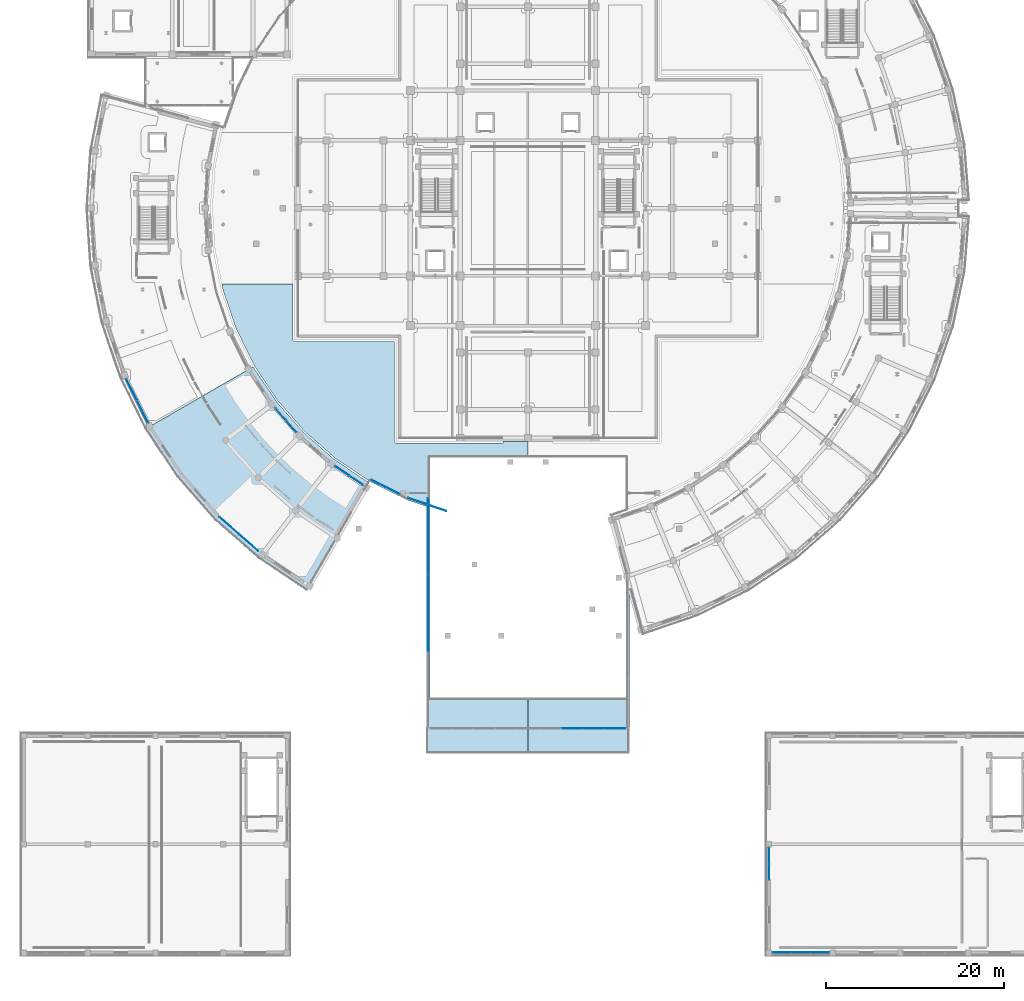
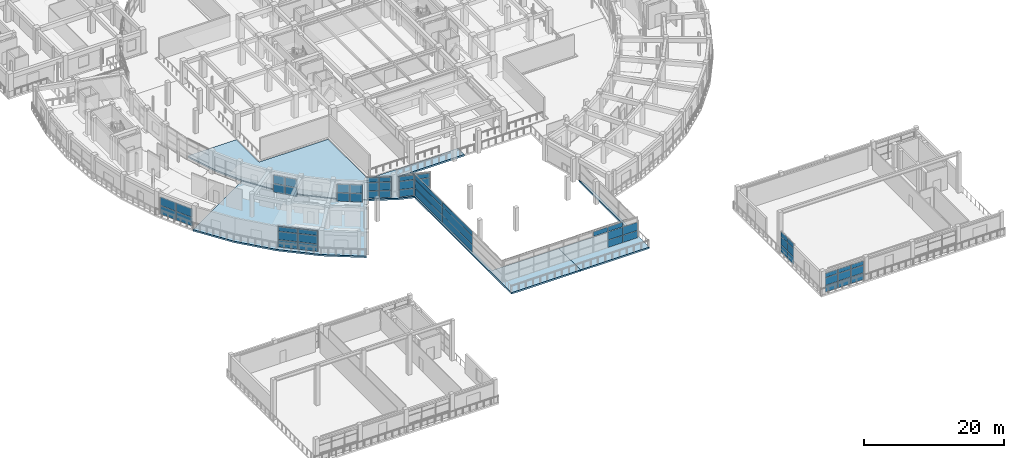
# One storey, part 47 of 87: 57 plates, 3 slabs, 10 elements without a shape of their own.
"""IFC4 building model written with IfcOpenShell, lengths in metres."""

from ifc_helpers import new_model, si_unit, direction, frame, origin, origin_2d, place, context, subcontext, project, spatial, polyline, rectangle, outline, extrude, material, layer, layer_set, type_object, element, aggregate, save


model = new_model("IFC4")

# Units and contexts
model_context = context("Model", 3, precision=1e-05, world=origin(), true_north=direction((0.0, 1.0)))
body_context = subcontext(model_context, "Body", "Model", "MODEL_VIEW")
ifc_project = project(units=[si_unit("LENGTHUNIT", "METRE"), si_unit("AREAUNIT", "SQUARE_METRE"), si_unit("VOLUMEUNIT", "CUBIC_METRE"), si_unit("PLANEANGLEUNIT", "RADIAN"), si_unit("MASSUNIT", "GRAM", prefix="KILO")], contexts=[model_context])

# Site, building, storey
site_placement = place(None, origin())
site = spatial("IfcSite", under=ifc_project, at=site_placement, CompositionType="ELEMENT")
building_placement = place(site_placement, origin())
building = spatial("IfcBuilding", under=site, at=building_placement, Name="Saryqyr Civic Hall", CompositionType="ELEMENT")
storey_placement = place(building_placement, frame((0.0, 0.0, 5.10009765625)))
storey = spatial("IfcBuildingStorey", under=building, at=storey_placement, Name="L01", CompositionType="ELEMENT", Elevation=5.10009765625)

# Curtain wall, plates
ifc_material_1 = material(Name="Anodised aluminium and triple low-E glass", Category="aluminium")
curtain_wall_type_1 = type_object("IfcCurtainWallType", Name="ENV-CW-STD-16", PredefinedType="NOTDEFINED", material=ifc_material_1)
curtain_wall_1_placement = place(storey_placement, origin())
curtain_wall_1 = element("IfcCurtainWall", 1, at=curtain_wall_1_placement, inside=storey, type_object=curtain_wall_type_1, Name="Curtain wall V4-CWO-L01-05", PredefinedType="NOTDEFINED")
ifc_material_2 = material(Name="Triple low-E insulated glazing", Category="glass")
ifc_layer_1 = layer(ifc_material_2, 0.053955078125, Name="Triple low-E insulated glazing")
ifc_layer_set_1 = layer_set([ifc_layer_1], Name="Triple low-E insulated glazing")
plate_type_1 = type_object("IfcPlateType", Name="ENV-CW-PNL-38", PredefinedType="CURTAIN_PANEL", material=ifc_layer_set_1)
plate_1_placement = place(storey_placement, frame((13.753173828125, 61.1455078125, 0.059814453125), z_axis=(0.0, 0.0, 1.0), x_axis=(-0.442304219294, 0.896865083273, 0.0)))
plate_1 = element("IfcPlate", 2, at=plate_1_placement, type_object=plate_type_1, Name="CW-16 panel 1.1", PredefinedType="CURTAIN_PANEL", context=body_context, shape_type="SweptSolid", body=[
    extrude(rectangle(XDim=2.679931640625, YDim=0.053955078125, at=origin_2d()), origin(), (0.0, 0.0, 1.0), 1.48193359375),
])
plate_2_placement = place(storey_placement, frame((13.753173828125, 61.1455078125, 1.60205078125), z_axis=(0.0, 0.0, 1.0), x_axis=(-0.442304219294, 0.896865083273, 0.0)))
plate_2 = element("IfcPlate", 3, at=plate_2_placement, type_object=plate_type_1, Name="CW-16 panel 1.2", PredefinedType="CURTAIN_PANEL", context=body_context, shape_type="SweptSolid", body=[
    extrude(rectangle(XDim=2.679931640625, YDim=0.053955078125, at=origin_2d()), origin(), (0.0, 0.0, 1.0), 1.48291015625),
])
plate_3_placement = place(storey_placement, frame((12.54150390625, 63.60302734375, 0.059814453125), z_axis=(0.0, 0.0, 1.0), x_axis=(-0.442304219294, 0.896865083273, 0.0)))
plate_3 = element("IfcPlate", 4, at=plate_3_placement, type_object=plate_type_1, Name="CW-16 panel 2.1", PredefinedType="CURTAIN_PANEL", context=body_context, shape_type="SweptSolid", body=[
    extrude(rectangle(XDim=2.679931640625, YDim=0.053955078125, at=origin_2d()), origin(), (0.0, 0.0, 1.0), 1.48193359375),
])
plate_4_placement = place(storey_placement, frame((12.54150390625, 63.60302734375, 1.60205078125), z_axis=(0.0, 0.0, 1.0), x_axis=(-0.442304219294, 0.896865083273, 0.0)))
plate_4 = element("IfcPlate", 5, at=plate_4_placement, type_object=plate_type_1, Name="CW-16 panel 2.2", PredefinedType="CURTAIN_PANEL", context=body_context, shape_type="SweptSolid", body=[
    extrude(rectangle(XDim=2.679931640625, YDim=0.053955078125, at=origin_2d()), origin(), (0.0, 0.0, 1.0), 1.48291015625),
])
aggregate(curtain_wall_1, [plate_1, plate_2, plate_3, plate_4])

curtain_wall_type_2 = type_object("IfcCurtainWallType", Name="ENV-CW-STD-18", PredefinedType="NOTDEFINED", material=ifc_material_1)
curtain_wall_2_placement = place(storey_placement, origin())
curtain_wall_2 = element("IfcCurtainWall", 6, at=curtain_wall_2_placement, inside=storey, type_object=curtain_wall_type_2, Name="Curtain wall V4-CWI-L01-07", PredefinedType="NOTDEFINED")
plate_5_placement = place(storey_placement, frame((29.241943359375, 60.866455078125, 0.059814453125), z_axis=(0.0, 0.0, 1.0), x_axis=(0.659348526236, -0.751837429868, 0.0)))
plate_5 = element("IfcPlate", 7, at=plate_5_placement, type_object=plate_type_1, Name="CW-18 panel 1.1", PredefinedType="CURTAIN_PANEL", context=body_context, shape_type="SweptSolid", body=[
    extrude(rectangle(XDim=1.7587890625, YDim=0.053955078125, at=origin_2d()), origin(), (0.0, 0.0, 1.0), 1.48193359375),
])
plate_6_placement = place(storey_placement, frame((29.241943359375, 60.866455078125, 1.60205078125), z_axis=(0.0, 0.0, 1.0), x_axis=(0.659348526236, -0.751837429868, 0.0)))
plate_6 = element("IfcPlate", 8, at=plate_6_placement, type_object=plate_type_1, Name="CW-18 panel 1.2", PredefinedType="CURTAIN_PANEL", context=body_context, shape_type="SweptSolid", body=[
    extrude(rectangle(XDim=1.7587890625, YDim=0.053955078125, at=origin_2d()), origin(), (0.0, 0.0, 1.0), 1.48291015625),
])
plate_7_placement = place(storey_placement, frame((30.44140625, 59.4990234375, 0.059814453125), z_axis=(0.0, 0.0, 1.0), x_axis=(0.659348526236, -0.751837429868, 0.0)))
plate_7 = element("IfcPlate", 9, at=plate_7_placement, type_object=plate_type_1, Name="CW-18 panel 2.1", PredefinedType="CURTAIN_PANEL", context=body_context, shape_type="SweptSolid", body=[
    extrude(rectangle(XDim=1.7587890625, YDim=0.053955078125, at=origin_2d()), origin(), (0.0, 0.0, 1.0), 1.48193359375),
])
plate_8_placement = place(storey_placement, frame((30.44140625, 59.4990234375, 1.60205078125), z_axis=(0.0, 0.0, 1.0), x_axis=(0.659348526236, -0.751837429868, 0.0)))
plate_8 = element("IfcPlate", 10, at=plate_8_placement, type_object=plate_type_1, Name="CW-18 panel 2.2", PredefinedType="CURTAIN_PANEL", context=body_context, shape_type="SweptSolid", body=[
    extrude(rectangle(XDim=1.7587890625, YDim=0.053955078125, at=origin_2d()), origin(), (0.0, 0.0, 1.0), 1.48291015625),
])
aggregate(curtain_wall_2, [plate_5, plate_6, plate_7, plate_8])

curtain_wall_type_3 = type_object("IfcCurtainWallType", Name="ENV-CW-STD-19", PredefinedType="NOTDEFINED", material=ifc_material_1)
curtain_wall_3_placement = place(storey_placement, origin())
curtain_wall_3 = element("IfcCurtainWall", 11, at=curtain_wall_3_placement, inside=storey, type_object=curtain_wall_type_3, Name="Curtain wall V4-CWO-L01-08", PredefinedType="NOTDEFINED")
plate_9_placement = place(storey_placement, frame((25.662109375, 46.44873046875, 0.06005859375), z_axis=(0.0, 0.0, 1.0), x_axis=(-0.75183484727, 0.659351471092, 0.0)))
plate_9 = element("IfcPlate", 12, at=plate_9_placement, type_object=plate_type_1, Name="CW-19 panel 1.1", PredefinedType="CURTAIN_PANEL", context=body_context, shape_type="SweptSolid", body=[
    extrude(rectangle(XDim=2.85546875, YDim=0.053955078125, at=origin_2d()), origin(), (0.0, 0.0, 1.0), 1.241943359375),
])
plate_10_placement = place(storey_placement, frame((25.662109375, 46.44873046875, 1.362060546875), z_axis=(0.0, 0.0, 1.0), x_axis=(-0.75183484727, 0.659351471092, 0.0)))
plate_10 = element("IfcPlate", 13, at=plate_10_placement, type_object=plate_type_1, Name="CW-19 panel 1.2", PredefinedType="CURTAIN_PANEL", context=body_context, shape_type="SweptSolid", body=[
    extrude(rectangle(XDim=2.85546875, YDim=0.053955078125, at=origin_2d()), origin(), (0.0, 0.0, 1.0), 1.419921875),
])
plate_11_placement = place(storey_placement, frame((25.662109375, 46.44873046875, 2.841796875), z_axis=(0.0, 0.0, 1.0), x_axis=(-0.75183484727, 0.659351471092, 0.0)))
plate_11 = element("IfcPlate", 14, at=plate_11_placement, type_object=plate_type_1, Name="CW-19 panel 1.3", PredefinedType="CURTAIN_PANEL", context=body_context, shape_type="SweptSolid", body=[
    extrude(rectangle(XDim=2.85546875, YDim=0.053955078125, at=origin_2d()), origin(), (0.0, 0.0, 1.0), 0.798095703125),
])
plate_12_placement = place(storey_placement, frame((23.47021484375, 48.370849609375, 0.06005859375), z_axis=(0.0, 0.0, 1.0), x_axis=(-0.75183484727, 0.659351471092, 0.0)))
plate_12 = element("IfcPlate", 15, at=plate_12_placement, type_object=plate_type_1, Name="CW-19 panel 2.1", PredefinedType="CURTAIN_PANEL", context=body_context, shape_type="SweptSolid", body=[
    extrude(rectangle(XDim=2.85546875, YDim=0.053955078125, at=origin_2d()), origin(), (0.0, 0.0, 1.0), 1.241943359375),
])
plate_13_placement = place(storey_placement, frame((23.47021484375, 48.370849609375, 1.362060546875), z_axis=(0.0, 0.0, 1.0), x_axis=(-0.75183484727, 0.659351471092, 0.0)))
plate_13 = element("IfcPlate", 16, at=plate_13_placement, type_object=plate_type_1, Name="CW-19 panel 2.2", PredefinedType="CURTAIN_PANEL", context=body_context, shape_type="SweptSolid", body=[
    extrude(rectangle(XDim=2.85546875, YDim=0.053955078125, at=origin_2d()), origin(), (0.0, 0.0, 1.0), 1.419921875),
])
plate_14_placement = place(storey_placement, frame((23.47021484375, 48.370849609375, 2.841796875), z_axis=(0.0, 0.0, 1.0), x_axis=(-0.75183484727, 0.659351471092, 0.0)))
plate_14 = element("IfcPlate", 17, at=plate_14_placement, type_object=plate_type_1, Name="CW-19 panel 2.3", PredefinedType="CURTAIN_PANEL", context=body_context, shape_type="SweptSolid", body=[
    extrude(rectangle(XDim=2.85546875, YDim=0.053955078125, at=origin_2d()), origin(), (0.0, 0.0, 1.0), 0.798095703125),
])
aggregate(curtain_wall_3, [plate_9, plate_10, plate_11, plate_12, plate_13, plate_14])

curtain_wall_type_4 = type_object("IfcCurtainWallType", Name="ENV-CW-STD-20", PredefinedType="NOTDEFINED", material=ifc_material_1)
curtain_wall_4_placement = place(storey_placement, origin())
curtain_wall_4 = element("IfcCurtainWall", 18, at=curtain_wall_4_placement, inside=storey, type_object=curtain_wall_type_4, Name="Curtain wall V4-CWI-L01-09", PredefinedType="NOTDEFINED")
plate_15_placement = place(storey_placement, frame((36.154541015625, 54.484375, 0.059814453125), z_axis=(0.0, 0.0, 1.0), x_axis=(0.831478565563, -0.555556833285, 0.0)))
plate_15 = element("IfcPlate", 19, at=plate_15_placement, type_object=plate_type_1, Name="CW-20 panel 1.1", PredefinedType="CURTAIN_PANEL", context=body_context, shape_type="SweptSolid", body=[
    extrude(rectangle(XDim=1.80859375, YDim=0.053955078125, at=origin_2d()), origin(), (0.0, 0.0, 1.0), 1.48193359375),
])
plate_16_placement = place(storey_placement, frame((36.154541015625, 54.484375, 1.60205078125), z_axis=(0.0, 0.0, 1.0), x_axis=(0.831478565563, -0.555556833285, 0.0)))
plate_16 = element("IfcPlate", 20, at=plate_16_placement, type_object=plate_type_1, Name="CW-20 panel 1.2", PredefinedType="CURTAIN_PANEL", context=body_context, shape_type="SweptSolid", body=[
    extrude(rectangle(XDim=1.80859375, YDim=0.053955078125, at=origin_2d()), origin(), (0.0, 0.0, 1.0), 1.48291015625),
])
plate_17_placement = place(storey_placement, frame((37.708251953125, 53.4462890625, 0.059814453125), z_axis=(0.0, 0.0, 1.0), x_axis=(0.831478565563, -0.555556833285, 0.0)))
plate_17 = element("IfcPlate", 21, at=plate_17_placement, type_object=plate_type_1, Name="CW-20 panel 2.1", PredefinedType="CURTAIN_PANEL", context=body_context, shape_type="SweptSolid", body=[
    extrude(rectangle(XDim=1.80859375, YDim=0.053955078125, at=origin_2d()), origin(), (0.0, 0.0, 1.0), 1.48193359375),
])
plate_18_placement = place(storey_placement, frame((37.708251953125, 53.4462890625, 1.60205078125), z_axis=(0.0, 0.0, 1.0), x_axis=(0.831478565563, -0.555556833285, 0.0)))
plate_18 = element("IfcPlate", 22, at=plate_18_placement, type_object=plate_type_1, Name="CW-20 panel 2.2", PredefinedType="CURTAIN_PANEL", context=body_context, shape_type="SweptSolid", body=[
    extrude(rectangle(XDim=1.80859375, YDim=0.053955078125, at=origin_2d()), origin(), (0.0, 0.0, 1.0), 1.48291015625),
])
aggregate(curtain_wall_4, [plate_15, plate_16, plate_17, plate_18])

curtain_wall_type_5 = type_object("IfcCurtainWallType", Name="ENV-CW-STD-62", PredefinedType="NOTDEFINED", material=ifc_material_1)
curtain_wall_5_placement = place(storey_placement, origin())
curtain_wall_5 = element("IfcCurtainWall", 23, at=curtain_wall_5_placement, inside=storey, type_object=curtain_wall_type_5, Name="Curtain wall V7E-CW-L01-0-3", PredefinedType="NOTDEFINED")
plate_19_placement = place(storey_placement, frame((89.7666015625, 0.449951171875, 0.06005859375), z_axis=(0.0, 0.0, 1.0), x_axis=(-1.0, 0.0, 0.0)))
plate_19 = element("IfcPlate", 24, at=plate_19_placement, type_object=plate_type_1, Name="CW-62 panel 1.1", PredefinedType="CURTAIN_PANEL", context=body_context, shape_type="SweptSolid", body=[
    extrude(rectangle(XDim=2.066650390625, YDim=0.053955078125, at=origin_2d()), origin(), (0.0, 0.0, 1.0), 1.135986328125),
])
plate_20_placement = place(storey_placement, frame((89.7666015625, 0.449951171875, 1.255859375), z_axis=(0.0, 0.0, 1.0), x_axis=(-1.0, 0.0, 0.0)))
plate_20 = element("IfcPlate", 25, at=plate_20_placement, type_object=plate_type_1, Name="CW-62 panel 1.2", PredefinedType="CURTAIN_PANEL", context=body_context, shape_type="SweptSolid", body=[
    extrude(rectangle(XDim=2.066650390625, YDim=0.053955078125, at=origin_2d()), origin(), (0.0, 0.0, 1.0), 1.302001953125),
])
plate_21_placement = place(storey_placement, frame((89.7666015625, 0.449951171875, 2.617919921875), z_axis=(0.0, 0.0, 1.0), x_axis=(-1.0, 0.0, 0.0)))
plate_21 = element("IfcPlate", 26, at=plate_21_placement, type_object=plate_type_1, Name="CW-62 panel 1.3", PredefinedType="CURTAIN_PANEL", context=body_context, shape_type="SweptSolid", body=[
    extrude(rectangle(XDim=2.066650390625, YDim=0.053955078125, at=origin_2d()), origin(), (0.0, 0.0, 1.0), 0.72705078125),
])
plate_22_placement = place(storey_placement, frame((87.625, 0.449951171875, 0.06005859375), z_axis=(0.0, 0.0, 1.0), x_axis=(-1.0, 0.0, 0.0)))
plate_22 = element("IfcPlate", 27, at=plate_22_placement, type_object=plate_type_1, Name="CW-62 panel 2.1", PredefinedType="CURTAIN_PANEL", context=body_context, shape_type="SweptSolid", body=[
    extrude(rectangle(XDim=2.0966796875, YDim=0.053955078125, at=origin_2d()), origin(), (0.0, 0.0, 1.0), 1.135986328125),
])
plate_23_placement = place(storey_placement, frame((87.625, 0.449951171875, 1.255859375), z_axis=(0.0, 0.0, 1.0), x_axis=(-1.0, 0.0, 0.0)))
plate_23 = element("IfcPlate", 28, at=plate_23_placement, type_object=plate_type_1, Name="CW-62 panel 2.2", PredefinedType="CURTAIN_PANEL", context=body_context, shape_type="SweptSolid", body=[
    extrude(rectangle(XDim=2.0966796875, YDim=0.053955078125, at=origin_2d()), origin(), (0.0, 0.0, 1.0), 1.302001953125),
])
plate_24_placement = place(storey_placement, frame((87.625, 0.449951171875, 2.617919921875), z_axis=(0.0, 0.0, 1.0), x_axis=(-1.0, 0.0, 0.0)))
plate_24 = element("IfcPlate", 29, at=plate_24_placement, type_object=plate_type_1, Name="CW-62 panel 2.3", PredefinedType="CURTAIN_PANEL", context=body_context, shape_type="SweptSolid", body=[
    extrude(rectangle(XDim=2.0966796875, YDim=0.053955078125, at=origin_2d()), origin(), (0.0, 0.0, 1.0), 0.72705078125),
])
plate_25_placement = place(storey_placement, frame((85.4833984375, 0.449951171875, 0.06005859375), z_axis=(0.0, 0.0, 1.0), x_axis=(-1.0, 0.0, 0.0)))
plate_25 = element("IfcPlate", 30, at=plate_25_placement, type_object=plate_type_1, Name="CW-62 panel 3.1", PredefinedType="CURTAIN_PANEL", context=body_context, shape_type="SweptSolid", body=[
    extrude(rectangle(XDim=2.066650390625, YDim=0.053955078125, at=origin_2d()), origin(), (0.0, 0.0, 1.0), 1.135986328125),
])
plate_26_placement = place(storey_placement, frame((85.4833984375, 0.449951171875, 1.255859375), z_axis=(0.0, 0.0, 1.0), x_axis=(-1.0, 0.0, 0.0)))
plate_26 = element("IfcPlate", 31, at=plate_26_placement, type_object=plate_type_1, Name="CW-62 panel 3.2", PredefinedType="CURTAIN_PANEL", context=body_context, shape_type="SweptSolid", body=[
    extrude(rectangle(XDim=2.066650390625, YDim=0.053955078125, at=origin_2d()), origin(), (0.0, 0.0, 1.0), 1.302001953125),
])
plate_27_placement = place(storey_placement, frame((85.4833984375, 0.449951171875, 2.617919921875), z_axis=(0.0, 0.0, 1.0), x_axis=(-1.0, 0.0, 0.0)))
plate_27 = element("IfcPlate", 32, at=plate_27_placement, type_object=plate_type_1, Name="CW-62 panel 3.3", PredefinedType="CURTAIN_PANEL", context=body_context, shape_type="SweptSolid", body=[
    extrude(rectangle(XDim=2.066650390625, YDim=0.053955078125, at=origin_2d()), origin(), (0.0, 0.0, 1.0), 0.72705078125),
])
aggregate(curtain_wall_5, [plate_19, plate_20, plate_21, plate_22, plate_23, plate_24, plate_25, plate_26, plate_27])

curtain_wall_type_6 = type_object("IfcCurtainWallType", Name="ENV-CW-STD-45", PredefinedType="NOTDEFINED", material=ifc_material_1)
curtain_wall_6_placement = place(storey_placement, origin())
curtain_wall_6 = element("IfcCurtainWall", 33, at=curtain_wall_6_placement, inside=storey, type_object=curtain_wall_type_6, Name="Curtain wall V7E-CW-L01-3-1", PredefinedType="NOTDEFINED")
plate_28_placement = place(storey_placement, frame((84.050048828125, 9.492431640625, 0.06005859375), z_axis=(0.0, 0.0, 1.0), x_axis=(0.0, 1.0, 0.0)))
plate_28 = element("IfcPlate", 34, at=plate_28_placement, type_object=plate_type_1, Name="CW-45 panel 1.1", PredefinedType="CURTAIN_PANEL", context=body_context, shape_type="SweptSolid", body=[
    extrude(rectangle(XDim=1.764892578125, YDim=0.053955078125, at=origin_2d()), origin(), (0.0, 0.0, 1.0), 1.241943359375),
])
plate_29_placement = place(storey_placement, frame((84.050048828125, 9.492431640625, 1.362060546875), z_axis=(0.0, 0.0, 1.0), x_axis=(0.0, 1.0, 0.0)))
plate_29 = element("IfcPlate", 35, at=plate_29_placement, type_object=plate_type_1, Name="CW-45 panel 1.2", PredefinedType="CURTAIN_PANEL", context=body_context, shape_type="SweptSolid", body=[
    extrude(rectangle(XDim=1.764892578125, YDim=0.053955078125, at=origin_2d()), origin(), (0.0, 0.0, 1.0), 1.419921875),
])
plate_30_placement = place(storey_placement, frame((84.050048828125, 9.492431640625, 2.841796875), z_axis=(0.0, 0.0, 1.0), x_axis=(0.0, 1.0, 0.0)))
plate_30 = element("IfcPlate", 36, at=plate_30_placement, type_object=plate_type_1, Name="CW-45 panel 1.3", PredefinedType="CURTAIN_PANEL", context=body_context, shape_type="SweptSolid", body=[
    extrude(rectangle(XDim=1.764892578125, YDim=0.053955078125, at=origin_2d()), origin(), (0.0, 0.0, 1.0), 0.798095703125),
])
plate_31_placement = place(storey_placement, frame((84.050048828125, 11.3173828125, 0.06005859375), z_axis=(0.0, 0.0, 1.0), x_axis=(0.0, 1.0, 0.0)))
plate_31 = element("IfcPlate", 37, at=plate_31_placement, type_object=plate_type_1, Name="CW-45 panel 2.1", PredefinedType="CURTAIN_PANEL", context=body_context, shape_type="SweptSolid", body=[
    extrude(rectangle(XDim=1.764892578125, YDim=0.053955078125, at=origin_2d()), origin(), (0.0, 0.0, 1.0), 1.241943359375),
])
plate_32_placement = place(storey_placement, frame((84.050048828125, 11.3173828125, 1.362060546875), z_axis=(0.0, 0.0, 1.0), x_axis=(0.0, 1.0, 0.0)))
plate_32 = element("IfcPlate", 38, at=plate_32_placement, type_object=plate_type_1, Name="CW-45 panel 2.2", PredefinedType="CURTAIN_PANEL", context=body_context, shape_type="SweptSolid", body=[
    extrude(rectangle(XDim=1.764892578125, YDim=0.053955078125, at=origin_2d()), origin(), (0.0, 0.0, 1.0), 1.419921875),
])
plate_33_placement = place(storey_placement, frame((84.050048828125, 11.3173828125, 2.841796875), z_axis=(0.0, 0.0, 1.0), x_axis=(0.0, 1.0, 0.0)))
plate_33 = element("IfcPlate", 39, at=plate_33_placement, type_object=plate_type_1, Name="CW-45 panel 2.3", PredefinedType="CURTAIN_PANEL", context=body_context, shape_type="SweptSolid", body=[
    extrude(rectangle(XDim=1.764892578125, YDim=0.053955078125, at=origin_2d()), origin(), (0.0, 0.0, 1.0), 0.798095703125),
])
aggregate(curtain_wall_6, [plate_28, plate_29, plate_30, plate_31, plate_32, plate_33])

curtain_wall_type_7 = type_object("IfcCurtainWallType", Name="ENV-CW-STD-70", PredefinedType="NOTDEFINED", material=ifc_material_1)
curtain_wall_7_placement = place(storey_placement, origin())
curtain_wall_7 = element("IfcCurtainWall", 40, at=curtain_wall_7_placement, inside=storey, type_object=curtain_wall_type_7, Name="Curtain wall V2-VESTFLK-SW-L01", PredefinedType="NOTDEFINED")
plate_34_placement = place(storey_placement, frame((45.800048828125, 38.554931640625, 0.06005859375), z_axis=(0.0, 0.0, 1.0), x_axis=(0.0, 1.0, 0.0)))
plate_34 = element("IfcPlate", 41, at=plate_34_placement, type_object=plate_type_1, Name="CW-70 panel 2.1", PredefinedType="CURTAIN_PANEL", context=body_context, shape_type="SweptSolid", body=[
    extrude(rectangle(XDim=8.570068359375, YDim=0.053955078125, at=origin_2d()), origin(), (0.0, 0.0, 1.0), 1.241943359375),
])
plate_35_placement = place(storey_placement, frame((45.800048828125, 38.554931640625, 1.362060546875), z_axis=(0.0, 0.0, 1.0), x_axis=(0.0, 1.0, 0.0)))
plate_35 = element("IfcPlate", 42, at=plate_35_placement, type_object=plate_type_1, Name="CW-70 panel 2.2", PredefinedType="CURTAIN_PANEL", context=body_context, shape_type="SweptSolid", body=[
    extrude(rectangle(XDim=8.570068359375, YDim=0.053955078125, at=origin_2d()), origin(), (0.0, 0.0, 1.0), 1.419921875),
])
plate_36_placement = place(storey_placement, frame((45.800048828125, 38.554931640625, 2.841796875), z_axis=(0.0, 0.0, 1.0), x_axis=(0.0, 1.0, 0.0)))
plate_36 = element("IfcPlate", 43, at=plate_36_placement, type_object=plate_type_1, Name="CW-70 panel 2.3", PredefinedType="CURTAIN_PANEL", context=body_context, shape_type="SweptSolid", body=[
    extrude(rectangle(XDim=8.570068359375, YDim=0.053955078125, at=origin_2d()), origin(), (0.0, 0.0, 1.0), 0.798095703125),
])
plate_37_placement = place(storey_placement, frame((45.800048828125, 47.169921875, 0.06005859375), z_axis=(0.0, 0.0, 1.0), x_axis=(0.0, 1.0, 0.0)))
plate_37 = element("IfcPlate", 44, at=plate_37_placement, type_object=plate_type_1, Name="CW-70 panel 3.1", PredefinedType="CURTAIN_PANEL", context=body_context, shape_type="SweptSolid", body=[
    extrude(rectangle(XDim=8.5400390625, YDim=0.053955078125, at=origin_2d()), origin(), (0.0, 0.0, 1.0), 1.241943359375),
])
plate_38_placement = place(storey_placement, frame((45.800048828125, 47.169921875, 1.362060546875), z_axis=(0.0, 0.0, 1.0), x_axis=(0.0, 1.0, 0.0)))
plate_38 = element("IfcPlate", 45, at=plate_38_placement, type_object=plate_type_1, Name="CW-70 panel 3.2", PredefinedType="CURTAIN_PANEL", context=body_context, shape_type="SweptSolid", body=[
    extrude(rectangle(XDim=8.5400390625, YDim=0.053955078125, at=origin_2d()), origin(), (0.0, 0.0, 1.0), 1.419921875),
])
plate_39_placement = place(storey_placement, frame((45.800048828125, 47.169921875, 2.841796875), z_axis=(0.0, 0.0, 1.0), x_axis=(0.0, 1.0, 0.0)))
plate_39 = element("IfcPlate", 46, at=plate_39_placement, type_object=plate_type_1, Name="CW-70 panel 3.3", PredefinedType="CURTAIN_PANEL", context=body_context, shape_type="SweptSolid", body=[
    extrude(rectangle(XDim=8.5400390625, YDim=0.053955078125, at=origin_2d()), origin(), (0.0, 0.0, 1.0), 0.798095703125),
])
aggregate(curtain_wall_7, [plate_34, plate_35, plate_36, plate_37, plate_38, plate_39])

curtain_wall_type_8 = type_object("IfcCurtainWallType", Name="ENV-CW-STD-77", PredefinedType="NOTDEFINED", material=ifc_material_1)
curtain_wall_8_placement = place(storey_placement, origin())
curtain_wall_8 = element("IfcCurtainWall", 47, at=curtain_wall_8_placement, inside=storey, type_object=curtain_wall_type_8, Name="Curtain wall V2-PERIM-CW-L01-32", PredefinedType="NOTDEFINED")
plate_40_placement = place(storey_placement, frame((41.8291015625, 52.2958984375, 0.06005859375), z_axis=(0.0, 0.0, 1.0), x_axis=(-0.896871168654, 0.442291879687, 0.0)))
plate_40 = element("IfcPlate", 48, at=plate_40_placement, type_object=plate_type_1, Name="CW-77 panel 1.1", PredefinedType="CURTAIN_PANEL", context=body_context, shape_type="SweptSolid", body=[
    extrude(rectangle(XDim=1.73291015625, YDim=0.053955078125, at=origin_2d()), origin(), (0.0, 0.0, 1.0), 1.241943359375),
])
plate_41_placement = place(storey_placement, frame((41.8291015625, 52.2958984375, 1.362060546875), z_axis=(0.0, 0.0, 1.0), x_axis=(-0.896871168654, 0.442291879687, 0.0)))
plate_41 = element("IfcPlate", 49, at=plate_41_placement, type_object=plate_type_1, Name="CW-77 panel 1.2", PredefinedType="CURTAIN_PANEL", context=body_context, shape_type="SweptSolid", body=[
    extrude(rectangle(XDim=1.73291015625, YDim=0.053955078125, at=origin_2d()), origin(), (0.0, 0.0, 1.0), 1.419921875),
])
plate_42_placement = place(storey_placement, frame((41.8291015625, 52.2958984375, 2.841796875), z_axis=(0.0, 0.0, 1.0), x_axis=(-0.896871168654, 0.442291879687, 0.0)))
plate_42 = element("IfcPlate", 50, at=plate_42_placement, type_object=plate_type_1, Name="CW-77 panel 1.3", PredefinedType="CURTAIN_PANEL", context=body_context, shape_type="SweptSolid", body=[
    extrude(rectangle(XDim=1.73291015625, YDim=0.053955078125, at=origin_2d()), origin(), (0.0, 0.0, 1.0), 0.798095703125),
])
plate_43_placement = place(storey_placement, frame((40.220947265625, 53.0888671875, 0.06005859375), z_axis=(0.0, 0.0, 1.0), x_axis=(-0.896871168654, 0.442291879687, 0.0)))
plate_43 = element("IfcPlate", 51, at=plate_43_placement, type_object=plate_type_1, Name="CW-77 panel 2.1", PredefinedType="CURTAIN_PANEL", context=body_context, shape_type="SweptSolid", body=[
    extrude(rectangle(XDim=1.73291015625, YDim=0.053955078125, at=origin_2d()), origin(), (0.0, 0.0, 1.0), 1.241943359375),
])
plate_44_placement = place(storey_placement, frame((40.220947265625, 53.0888671875, 1.362060546875), z_axis=(0.0, 0.0, 1.0), x_axis=(-0.896871168654, 0.442291879687, 0.0)))
plate_44 = element("IfcPlate", 52, at=plate_44_placement, type_object=plate_type_1, Name="CW-77 panel 2.2", PredefinedType="CURTAIN_PANEL", context=body_context, shape_type="SweptSolid", body=[
    extrude(rectangle(XDim=1.73291015625, YDim=0.053955078125, at=origin_2d()), origin(), (0.0, 0.0, 1.0), 1.419921875),
])
plate_45_placement = place(storey_placement, frame((40.220947265625, 53.0888671875, 2.841796875), z_axis=(0.0, 0.0, 1.0), x_axis=(-0.896871168654, 0.442291879687, 0.0)))
plate_45 = element("IfcPlate", 53, at=plate_45_placement, type_object=plate_type_1, Name="CW-77 panel 2.3", PredefinedType="CURTAIN_PANEL", context=body_context, shape_type="SweptSolid", body=[
    extrude(rectangle(XDim=1.73291015625, YDim=0.053955078125, at=origin_2d()), origin(), (0.0, 0.0, 1.0), 0.798095703125),
])
aggregate(curtain_wall_8, [plate_40, plate_41, plate_42, plate_43, plate_44, plate_45])

curtain_wall_type_9 = type_object("IfcCurtainWallType", Name="ENV-CW-STD-74", PredefinedType="NOTDEFINED", material=ifc_material_1)
curtain_wall_9_placement = place(storey_placement, origin())
curtain_wall_9 = element("IfcCurtainWall", 54, at=curtain_wall_9_placement, inside=storey, type_object=curtain_wall_type_9, Name="Curtain wall V2-PERIM-CW-L01-33", PredefinedType="NOTDEFINED")
plate_46_placement = place(storey_placement, frame((46.779541015625, 50.355224609375, 0.06005859375), z_axis=(0.0, 0.0, 1.0), x_axis=(-0.946928094828, 0.321445459178, 0.0)))
plate_46 = element("IfcPlate", 55, at=plate_46_placement, type_object=plate_type_1, Name="CW-74 panel 1.1", PredefinedType="CURTAIN_PANEL", context=body_context, shape_type="SweptSolid", body=[
    extrude(rectangle(XDim=2.213623046875, YDim=0.053955078125, at=origin_2d()), origin(), (0.0, 0.0, 1.0), 1.241943359375),
])
plate_47_placement = place(storey_placement, frame((46.779541015625, 50.355224609375, 1.362060546875), z_axis=(0.0, 0.0, 1.0), x_axis=(-0.946928094828, 0.321445459178, 0.0)))
plate_47 = element("IfcPlate", 56, at=plate_47_placement, type_object=plate_type_1, Name="CW-74 panel 1.2", PredefinedType="CURTAIN_PANEL", context=body_context, shape_type="SweptSolid", body=[
    extrude(rectangle(XDim=2.213623046875, YDim=0.053955078125, at=origin_2d()), origin(), (0.0, 0.0, 1.0), 1.419921875),
])
plate_48_placement = place(storey_placement, frame((46.779541015625, 50.355224609375, 2.841796875), z_axis=(0.0, 0.0, 1.0), x_axis=(-0.946928094828, 0.321445459178, 0.0)))
plate_48 = element("IfcPlate", 57, at=plate_48_placement, type_object=plate_type_1, Name="CW-74 panel 1.3", PredefinedType="CURTAIN_PANEL", context=body_context, shape_type="SweptSolid", body=[
    extrude(rectangle(XDim=2.213623046875, YDim=0.053955078125, at=origin_2d()), origin(), (0.0, 0.0, 1.0), 0.798095703125),
])
plate_49_placement = place(storey_placement, frame((44.626708984375, 51.0859375, 0.06005859375), z_axis=(0.0, 0.0, 1.0), x_axis=(-0.946928094828, 0.321445459178, 0.0)))
plate_49 = element("IfcPlate", 58, at=plate_49_placement, type_object=plate_type_1, Name="CW-74 panel 2.1", PredefinedType="CURTAIN_PANEL", context=body_context, shape_type="SweptSolid", body=[
    extrude(rectangle(XDim=2.213623046875, YDim=0.053955078125, at=origin_2d()), origin(), (0.0, 0.0, 1.0), 1.241943359375),
])
plate_50_placement = place(storey_placement, frame((44.626708984375, 51.0859375, 1.362060546875), z_axis=(0.0, 0.0, 1.0), x_axis=(-0.946928094828, 0.321445459178, 0.0)))
plate_50 = element("IfcPlate", 59, at=plate_50_placement, type_object=plate_type_1, Name="CW-74 panel 2.2", PredefinedType="CURTAIN_PANEL", context=body_context, shape_type="SweptSolid", body=[
    extrude(rectangle(XDim=2.213623046875, YDim=0.053955078125, at=origin_2d()), origin(), (0.0, 0.0, 1.0), 1.419921875),
])
plate_51_placement = place(storey_placement, frame((44.626708984375, 51.0859375, 2.841796875), z_axis=(0.0, 0.0, 1.0), x_axis=(-0.946928094828, 0.321445459178, 0.0)))
plate_51 = element("IfcPlate", 60, at=plate_51_placement, type_object=plate_type_1, Name="CW-74 panel 2.3", PredefinedType="CURTAIN_PANEL", context=body_context, shape_type="SweptSolid", body=[
    extrude(rectangle(XDim=2.213623046875, YDim=0.053955078125, at=origin_2d()), origin(), (0.0, 0.0, 1.0), 0.798095703125),
])
aggregate(curtain_wall_9, [plate_46, plate_47, plate_48, plate_49, plate_50, plate_51])

curtain_wall_type_10 = type_object("IfcCurtainWallType", Name="ENV-CW-HVY-69", PredefinedType="NOTDEFINED", material=ifc_material_1)
curtain_wall_10_placement = place(storey_placement, origin())
curtain_wall_10 = element("IfcCurtainWall", 61, at=curtain_wall_10_placement, inside=storey, type_object=curtain_wall_type_10, Name="Curtain wall V2-PORTAL-CW-S-L01-2", PredefinedType="NOTDEFINED")
ifc_material_3 = material(Name="Acoustic laminated low-E glazing", Category="glass")
ifc_layer_2 = layer(ifc_material_3, 0.072021484375, Name="Acoustic laminated low-E glazing")
ifc_layer_set_2 = layer_set([ifc_layer_2], Name="Acoustic laminated low-E glazing")
plate_type_2 = type_object("IfcPlateType", Name="ENV-CW-PNL-52", PredefinedType="CURTAIN_PANEL", material=ifc_layer_set_2)
plate_52_placement = place(storey_placement, frame((66.8046875, 25.610107421875, 0.06982421875), z_axis=(0.0, 0.0, 1.0), x_axis=(-1.0, 0.0, 0.0)))
plate_52 = element("IfcPlate", 62, at=plate_52_placement, type_object=plate_type_2, Name="CW-69 panel 1.1", PredefinedType="CURTAIN_PANEL", context=body_context, shape_type="SweptSolid", body=[
    extrude(rectangle(XDim=2.3505859375, YDim=0.072021484375, at=origin_2d()), origin(), (0.0, 0.0, 1.0), 1.22705078125),
])
plate_53_placement = place(storey_placement, frame((66.8046875, 25.610107421875, 1.3671875), z_axis=(0.0, 0.0, 1.0), x_axis=(-1.0, 0.0, 0.0)))
plate_53 = element("IfcPlate", 63, at=plate_53_placement, type_object=plate_type_2, Name="CW-69 panel 1.2", PredefinedType="CURTAIN_PANEL", context=body_context, shape_type="SweptSolid", body=[
    extrude(rectangle(XDim=2.3505859375, YDim=0.072021484375, at=origin_2d()), origin(), (0.0, 0.0, 1.0), 1.409912109375),
])
plate_54_placement = place(storey_placement, frame((64.36669921875, 25.610107421875, 0.06982421875), z_axis=(0.0, 0.0, 1.0), x_axis=(-1.0, 0.0, 0.0)))
plate_54 = element("IfcPlate", 64, at=plate_54_placement, type_object=plate_type_2, Name="CW-69 panel 2.1", PredefinedType="CURTAIN_PANEL", context=body_context, shape_type="SweptSolid", body=[
    extrude(rectangle(XDim=2.385498046875, YDim=0.072021484375, at=origin_2d()), origin(), (0.0, 0.0, 1.0), 1.22705078125),
])
plate_55_placement = place(storey_placement, frame((64.36669921875, 25.610107421875, 1.3671875), z_axis=(0.0, 0.0, 1.0), x_axis=(-1.0, 0.0, 0.0)))
plate_55 = element("IfcPlate", 65, at=plate_55_placement, type_object=plate_type_2, Name="CW-69 panel 2.2", PredefinedType="CURTAIN_PANEL", context=body_context, shape_type="SweptSolid", body=[
    extrude(rectangle(XDim=2.385498046875, YDim=0.072021484375, at=origin_2d()), origin(), (0.0, 0.0, 1.0), 1.409912109375),
])
plate_56_placement = place(storey_placement, frame((64.36669921875, 25.610107421875, 2.8466796875), z_axis=(0.0, 0.0, 1.0), x_axis=(-1.0, 0.0, 0.0)))
plate_56 = element("IfcPlate", 66, at=plate_56_placement, type_object=plate_type_2, Name="CW-69 panel 2.3", PredefinedType="CURTAIN_PANEL", context=body_context, shape_type="SweptSolid", body=[
    extrude(rectangle(XDim=2.385498046875, YDim=0.072021484375, at=origin_2d()), origin(), (0.0, 0.0, 1.0), 0.782958984375),
])
plate_57_placement = place(storey_placement, frame((61.928466796875, 25.610107421875, 2.8466796875), z_axis=(0.0, 0.0, 1.0), x_axis=(-1.0, 0.0, 0.0)))
plate_57 = element("IfcPlate", 67, at=plate_57_placement, type_object=plate_type_2, Name="CW-69 panel 3.3", PredefinedType="CURTAIN_PANEL", context=body_context, shape_type="SweptSolid", body=[
    extrude(rectangle(XDim=2.3505859375, YDim=0.072021484375, at=origin_2d()), origin(), (0.0, 0.0, 1.0), 0.782958984375),
])
aggregate(curtain_wall_10, [plate_52, plate_53, plate_54, plate_55, plate_56, plate_57])

# Slabs
ifc_material_4 = material(Name="Concrete C35/45", Category="concrete")
ifc_layer_3 = layer(ifc_material_4, 0.280029296875, Name="Concrete C35/45")
ifc_layer_set_3 = layer_set([ifc_layer_3], Name="Concrete C35/45")
slab_type = type_object("IfcSlabType", Name="STR-SLB-FLR-280", PredefinedType="FLOOR", material=ifc_layer_set_3)
slab_1_placement = place(storey_placement, frame((0.0, 0.0, -0.280029296875)))
element("IfcSlab", 68, at=slab_1_placement, inside=storey, type_object=slab_type, Name="Slab SLB-V4B-L01", PredefinedType="FLOOR", context=body_context, shape_type="SweptSolid", body=[
    extrude(outline(polyline([(28.756591796875, 62.328125), (31.826904296875, 58.826904296875), (35.328125, 55.756591796875), (39.199951171875, 53.16943359375), (32.199951171875, 41.045166015625), (26.805419921875, 44.649658203125), (21.927490234375, 48.927490234375), (17.649658203125, 53.805419921875), (14.045166015625, 59.199951171875), (26.16943359375, 66.199951171875), (28.756591796875, 62.328125)])), origin(), (0.0, 0.0, 1.0), 0.280029296875),
])
slab_2_placement = place(storey_placement, frame((0.0, 0.0, -0.280029296875)))
element("IfcSlab", 69, at=slab_2_placement, inside=storey, type_object=slab_type, Name="Slab SLB-V2SW-L01", PredefinedType="FLOOR", context=body_context, shape_type="SweptSolid", body=[
    extrude(outline(polyline([(46.0, 29.0), (57.0, 29.0), (57.0, 22.800048828125), (45.60009765625, 22.800048828125), (45.60009765625, 50.39990234375), (45.964599609375, 50.39990234375), (43.437744140625, 51.2578125), (39.281982421875, 53.306884765625), (35.42578125, 55.8837890625), (31.9404296875, 58.9404296875), (28.8837890625, 62.42578125), (26.308349609375, 66.2802734375), (24.258056640625, 70.43798828125), (22.767822265625, 74.827392578125), (22.634033203125, 75.5), (30.639892578125, 75.5), (30.639892578125, 69.199951171875), (30.6669921875, 69.111083984375), (30.753662109375, 69.046875), (42.0400390625, 69.0400390625), (42.0400390625, 57.800048828125), (42.058837890625, 57.724609375), (42.12451171875, 57.658935546875), (54.199951171875, 57.639892578125), (54.199951171875, 57.800048828125), (57.0, 57.800048828125), (57.0, 56.0), (46.0, 56.0), (46.0, 29.0)])), origin(), (0.0, 0.0, 1.0), 0.280029296875),
])
slab_3_placement = place(storey_placement, frame((0.0, 0.0, -0.280029296875)))
element("IfcSlab", 70, at=slab_3_placement, inside=storey, type_object=slab_type, Name="Slab SLB-V2SE-L01-P2", PredefinedType="FLOOR", context=body_context, shape_type="SweptSolid", body=[
    extrude(outline(polyline([(68.39990234375, 40.83642578125), (68.39990234375, 22.800048828125), (57.0, 22.800048828125), (57.0, 29.0), (68.0, 29.0), (68.0, 42.329345703125), (68.39990234375, 40.83642578125)])), origin(), (0.0, 0.0, 1.0), 0.280029296875),
])

save(model, "model.ifc")
